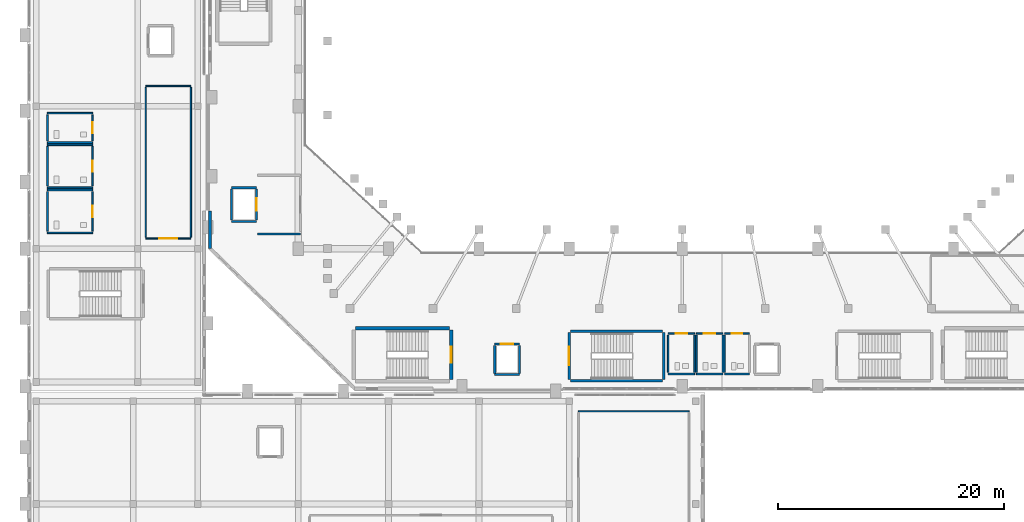
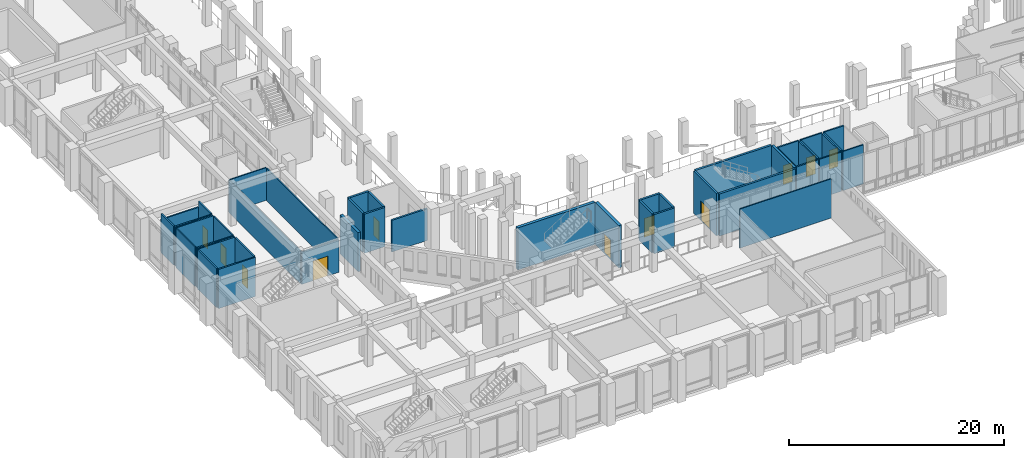
# One storey, part 91 of 126: 44 walls, 11 doors, 11 openings.
"""IFC4 building model written with IfcOpenShell, lengths in metres."""

import ifcopenshell
import ifcopenshell.guid

model = None  # the IFC model being written
_history = None  # IfcOwnerHistory: only IFC2X3 demands one
_inside = {}  # id of a spatial element -> (the spatial element, [elements in it])
_under = {}  # id of a project, library or spatial element -> (it, [spatial elements below it])
_declared = {}  # id of a project -> (the project, [libraries it declares])
_typed = {}  # id of a type object -> (the type object, [elements of that type])
_made_of = {}  # id of a material, layer set ... -> (it, [elements and type objects made of it])


def new_model(schema):
    """Start an empty IFC model of exactly this schema.

    Asked for "IFC4X3", IfcOpenShell would pick the latest addendum, in which some entities
    have other attributes; the version numbers below select the first issue.
    IFC2X3 requires an IfcOwnerHistory on every rooted entity: one is made here for all.
    """
    global model, _history
    if schema == "IFC4X3":
        model = ifcopenshell.file(schema_version=(4, 3, 0, 0))
    else:
        model = ifcopenshell.file(schema=schema)
    _inside.clear()
    _under.clear()
    _declared.clear()
    _typed.clear()
    _made_of.clear()
    _history = None
    if model.schema == "IFC2X3":
        org = make("IfcOrganization", Name="unknown")
        user = make(
            "IfcPersonAndOrganization",
            ThePerson=make("IfcPerson", FamilyName="unknown"),
            TheOrganization=org,
        )
        app = make(
            "IfcApplication",
            ApplicationDeveloper=org,
            Version="unknown",
            ApplicationFullName="unknown",
            ApplicationIdentifier="unknown",
        )
        _history = make(
            "IfcOwnerHistory",
            OwningUser=user,
            OwningApplication=app,
            ChangeAction="ADDED",
            CreationDate=0,
        )
    return model


def make(cls, **values):
    """One entity of the class cls with the attributes given. An attribute that is None is left unset."""
    return model.create_entity(
        cls, **{name: value for name, value in values.items() if value is not None}
    )


def rooted(cls, **values):
    """An entity with a GlobalId (a new one), such as an element, a storey or a relation."""
    return make(cls, GlobalId=ifcopenshell.guid.new(), OwnerHistory=_history, **values)


def si_unit(unit_type, name, prefix=None):
    """IfcSIUnit, for example si_unit("LENGTHUNIT", "METRE", prefix="MILLI")."""
    return make("IfcSIUnit", UnitType=unit_type, Prefix=prefix, Name=name)


def derived_unit(unit_type, elements):
    """IfcDerivedUnit: a product of units, each with its exponent."""
    return make(
        "IfcDerivedUnit",
        Elements=[
            make("IfcDerivedUnitElement", Unit=unit, Exponent=power)
            for unit, power in elements
        ],
        UnitType=unit_type,
    )


def assignment(units):
    """IfcUnitAssignment: the units of a project."""
    return None if units is None else make("IfcUnitAssignment", Units=units)


def point(xyz):
    """IfcCartesianPoint."""
    return None if xyz is None else make("IfcCartesianPoint", Coordinates=xyz)


def direction(xyz):
    """IfcDirection."""
    return None if xyz is None else make("IfcDirection", DirectionRatios=xyz)


def frame(location, z_axis=None, x_axis=None):
    """IfcAxis2Placement3D, a coordinate frame: its origin and axes. An axis left out is left unset."""
    return make(
        "IfcAxis2Placement3D",
        Location=point(location),
        Axis=direction(z_axis),
        RefDirection=direction(x_axis),
    )


def frame_2d(location, x_axis=None):
    """IfcAxis2Placement2D, a coordinate frame in the plane: its origin and x axis."""
    return make(
        "IfcAxis2Placement2D", Location=point(location), RefDirection=direction(x_axis)
    )


def origin():
    """The frame at (0, 0, 0) with its axes left unset."""
    return frame((0.0, 0.0, 0.0))


def place(relative_to, where):
    """IfcLocalPlacement: puts the frame where relative to a parent placement (None: the world)."""
    return make(
        "IfcLocalPlacement", PlacementRelTo=relative_to, RelativePlacement=where
    )


def context(
    kind, dimensions, precision=None, world=None, true_north=None, identifier=None
):
    """IfcGeometricRepresentationContext, for example the 3D "Model" context."""
    return make(
        "IfcGeometricRepresentationContext",
        ContextIdentifier=identifier,
        ContextType=kind,
        CoordinateSpaceDimension=dimensions,
        Precision=precision,
        WorldCoordinateSystem=world,
        TrueNorth=true_north,
    )


def subcontext(parent, identifier, kind, view, scale=None):
    """IfcGeometricRepresentationSubContext, for example "Body" below "Model"."""
    return make(
        "IfcGeometricRepresentationSubContext",
        ContextIdentifier=identifier,
        ContextType=kind,
        ParentContext=parent,
        TargetScale=scale,
        TargetView=view,
    )


def project(units=None, contexts=None):
    """IfcProject with its units and contexts."""
    return rooted(
        "IfcProject",
        Name="project",
        RepresentationContexts=contexts,
        UnitsInContext=assignment(units),
    )


def spatial(cls, under=None, at=None, **own):
    """A site, building, storey or space (cls), placed at a placement, below another one or the project."""
    s = rooted(cls, ObjectPlacement=at, **own)
    if under is not None:
        _under.setdefault(under.id(), (under, []))[1].append(s)
    return s


def profile(cls, at=None, kind="AREA", **sizes):
    """A parametric profile (cls). Its sizes go by their IFC names, for example OverallWidth=200.0."""
    return make(cls, ProfileType=kind, Position=at, **sizes)


def rectangle(**sizes):
    """IfcRectangleProfileDef."""
    return profile("IfcRectangleProfileDef", **sizes)


def extrude(swept, where, along, depth):
    """IfcExtrudedAreaSolid: the profile swept, set in the frame where, extruded along a direction by depth."""
    return make(
        "IfcExtrudedAreaSolid",
        SweptArea=swept,
        Position=where,
        ExtrudedDirection=direction(along),
        Depth=depth,
    )


def shape(context_of_items, identifier, shape_type, items):
    """IfcShapeRepresentation: the items that make up one representation, for example the "Body"."""
    return make(
        "IfcShapeRepresentation",
        ContextOfItems=context_of_items,
        RepresentationIdentifier=identifier,
        RepresentationType=shape_type,
        Items=items,
    )


def material(Name=None, Category=None):
    """IfcMaterial."""
    return make("IfcMaterial", Name=Name, Category=Category)


def layer(
    of_material, thickness, ventilated=None, Name=None, Category=None, Priority=None
):
    """IfcMaterialLayer: one layer of a wall or slab, of a material (None: an air gap)."""
    return make(
        "IfcMaterialLayer",
        Material=of_material,
        LayerThickness=thickness,
        IsVentilated=ventilated,
        Name=Name,
        Category=Category,
        Priority=Priority,
    )


def layer_set(layers, Name=None):
    """IfcMaterialLayerSet."""
    return make("IfcMaterialLayerSet", MaterialLayers=layers, LayerSetName=Name)


def made_of(thing, what):
    """Note that an element or type object is made of a material, layer set ...; save() writes the relation."""
    if what is not None:
        _made_of.setdefault(what.id(), (what, []))[1].append(thing)
    return thing


def type_object(cls, material=None, **own):
    """A type object (cls), such as IfcWallType, which elements share."""
    return made_of(rooted(cls, **own), material)


def element(
    cls,
    number,
    at=None,
    inside=None,
    cuts=None,
    type_object=None,
    material=None,
    context=None,
    identifier="Body",
    shape_type=None,
    held_by="IfcProductDefinitionShape",
    body=None,
    shapes=None,
    **own,
):
    """One element of the class cls, such as IfcWall. Its Tag is "e" and its number.

    at: its placement. inside: the storey or other place that contains it. cuts: it is an
    opening in that element (IfcRelVoidsElement). A single representation is given by context,
    identifier, shape_type and body (its items); several are given by shapes. held_by: the class
    of the entity that holds the representations. save() writes the other relations.
    """
    e = rooted(cls, Tag="e%d" % number, ObjectPlacement=at, **own)
    if body is not None:
        shapes = [shape(context, identifier, shape_type, body)]
    if shapes is not None:
        e.Representation = make(held_by, Representations=shapes)
    if inside is not None:
        _inside.setdefault(inside.id(), (inside, []))[1].append(e)
    if cuts is not None:
        rooted(
            "IfcRelVoidsElement", RelatingBuildingElement=cuts, RelatedOpeningElement=e
        )
    if type_object is not None:
        _typed.setdefault(type_object.id(), (type_object, []))[1].append(e)
    return made_of(e, material)


def fill(opening, filler):
    """IfcRelFillsElement: the door or window that sits in an opening."""
    return rooted(
        "IfcRelFillsElement",
        RelatingOpeningElement=opening,
        RelatedBuildingElement=filler,
    )


def aggregate(whole, parts):
    """IfcRelAggregates: a whole, such as a stair, and the parts it consists of."""
    return rooted("IfcRelAggregates", RelatingObject=whole, RelatedObjects=parts)


def save(model, path):
    """Write the relations noted so far, then the file.

    IfcRelAggregates (storeys below a building ...), IfcRelContainedInSpatialStructure (elements
    in a storey), IfcRelDefinesByType, IfcRelAssociatesMaterial and IfcRelDeclares: one each for
    every whole, place, type object, material and project.
    """
    for whole, parts in _under.values():
        aggregate(whole, parts)
    for where, things in _inside.values():
        rooted(
            "IfcRelContainedInSpatialStructure",
            RelatedElements=things,
            RelatingStructure=where,
        )
    for kind, things in _typed.values():
        rooted("IfcRelDefinesByType", RelatedObjects=things, RelatingType=kind)
    for what, things in _made_of.values():
        rooted("IfcRelAssociatesMaterial", RelatedObjects=things, RelatingMaterial=what)
    for by, libraries in _declared.values():
        rooted("IfcRelDeclares", RelatingContext=by, RelatedDefinitions=libraries)
    model.write(path)


model = new_model("IFC4")

# Units and contexts
model_context = context("Model", 3, precision=1e-05, world=origin(), true_north=direction((0.0, 1.0)))
body_context = subcontext(model_context, "Body", "Model", "MODEL_VIEW")
ifc_project = project(units=[si_unit("LENGTHUNIT", "METRE"), si_unit("AREAUNIT", "SQUARE_METRE"), si_unit("VOLUMEUNIT", "CUBIC_METRE"), si_unit("PLANEANGLEUNIT", "RADIAN"), si_unit("MASSUNIT", "GRAM", prefix="KILO"), derived_unit("THERMALTRANSMITTANCEUNIT", [(si_unit("MASSUNIT", "GRAM", prefix="KILO"), 1), (si_unit("TIMEUNIT", "SECOND"), -3), (si_unit("THERMODYNAMICTEMPERATUREUNIT", "KELVIN"), -1)])], contexts=[model_context])

# Site, building, storey
site_placement = place(None, origin())
site = spatial("IfcSite", under=ifc_project, at=site_placement, CompositionType="ELEMENT")
building_placement = place(site_placement, origin())
building = spatial("IfcBuilding", under=site, at=building_placement, Name="Valcora Ridge Arena", CompositionType="ELEMENT")
storey_placement = place(building_placement, frame((0.0, 0.0, 11.39990234375)))
storey = spatial("IfcBuildingStorey", under=building, at=storey_placement, Name="L02", CompositionType="ELEMENT", Elevation=11.39990234375)

# Walls
ifc_material_1 = material(Name="Bush-hammered Andean travertine on concrete backup C40/50", Category="masonry")
ifc_layer_1 = layer(ifc_material_1, 0.280029296875, Name="Bush-hammered Andean travertine on concrete backup C40/50")
ifc_layer_set_1 = layer_set([ifc_layer_1], Name="Bush-hammered Andean travertine on concrete backup C40/50")
wall_type_1 = type_object("IfcWallType", Name="TY-WALL-EW-TRV-28-44", PredefinedType="STANDARD", material=ifc_layer_set_1)
wall_1_placement = place(storey_placement, frame((16.199951171875, 32.60009765625, 0.0), z_axis=(0.0, 0.0, 1.0), x_axis=(0.0, 1.0, 0.0)))
element("IfcWall", 1, at=wall_1_placement, inside=storey, type_object=wall_type_1, Name="EW-TRV-28-44 WAL-EW-0046", PredefinedType="STANDARD", context=body_context, shape_type="SweptSolid", body=[
    extrude(rectangle(XDim=3.349853515625, YDim=0.280029296875, at=frame_2d((1.6748046875, 0.0))), origin(), (0.0, 0.0, 1.0), 4.4501953125),
])
ifc_material_2 = material(Name="Fire-rated masonry-core compartment wall C35/45 150 mm", Category="masonry")
ifc_layer_2 = layer(ifc_material_2, 0.14990234375, Name="Fire-rated masonry-core compartment wall C35/45 150 mm")
ifc_layer_set_2 = layer_set([ifc_layer_2], Name="Fire-rated masonry-core compartment wall C35/45 150 mm")
wall_type_2 = type_object("IfcWallType", Name="TY-WALL-IW-COMP-150", PredefinedType="STANDARD", material=ifc_layer_set_2)
wall_2_placement = place(storey_placement, frame((56.75, 21.5, 0.0), z_axis=(0.0, 0.0, 1.0), x_axis=(1.0, 0.0, 0.0)))
element("IfcWall", 2, at=wall_2_placement, inside=storey, type_object=wall_type_2, Name="IW-COMP-150 WAL-IN-0107", PredefinedType="STANDARD", context=body_context, shape_type="SweptSolid", body=[
    extrude(rectangle(XDim=2.35009765625, YDim=0.14990234375, at=frame_2d((1.175048828125, 0.0))), origin(), (0.0, 0.0, 1.0), 4.4501953125),
])

# Wall, opening, door
wall_3_placement = place(storey_placement, frame((56.75, 25.10009765625, 0.0), z_axis=(0.0, 0.0, 1.0), x_axis=(1.0, 0.0, 0.0)))
wall_3 = element("IfcWall", 3, at=wall_3_placement, inside=storey, type_object=wall_type_2, Name="IW-COMP-150 WAL-IN-0108", PredefinedType="STANDARD", context=body_context, shape_type="SweptSolid", body=[
    extrude(rectangle(XDim=2.35009765625, YDim=0.14990234375, at=frame_2d((1.175048828125, 0.0))), origin(), (0.0, 0.0, 1.0), 4.4501953125),
])
opening_1_placement = place(wall_3_placement, frame((0.675048828125, 0.0, 0.0)))
opening_1 = element("IfcOpeningElement", 4, at=opening_1_placement, cuts=wall_3, Name="Opening D-WC-1000", PredefinedType="OPENING", context=body_context, shape_type="SweptSolid", body=[
    extrude(rectangle(XDim=1.0, YDim=2.14990234375, at=frame_2d((0.5, 1.074951171875))), frame((0.0, 0.0849609375, 0.0), z_axis=(0.0, -1.0, 0.0), x_axis=(1.0, 0.0, 0.0)), (0.0, 0.0, 1.0), 0.169921875),
])
ifc_material_3 = material(Name="Insulated fire-rated steel door leaf", Category="steel")
door_type_1 = type_object("IfcDoorType", Name="TY-DOOR-D-WC-1000", OperationType="NOTDEFINED", PredefinedType="DOOR", material=ifc_material_3)
door_1_placement = place(opening_1_placement, origin())
door_1 = element("IfcDoor", 5, at=door_1_placement, inside=storey, type_object=door_type_1, Name="D-WC-1000 DOR-IN-0031", OperationType="SINGLE_SWING_LEFT", OverallHeight=2.14990234375, OverallWidth=1.0, PredefinedType="DOOR", context=body_context, shape_type="SweptSolid", body=[
    extrude(rectangle(XDim=1.0, YDim=2.14990234375, at=frame_2d((0.5, 1.074951171875))), frame((0.0, 0.02490234375, 0.0), z_axis=(0.0, -1.0, 0.0), x_axis=(1.0, 0.0, 0.0)), (0.0, 0.0, 1.0), 0.050048828125),
])
fill(opening_1, door_1)

# Walls
for number, where, z_axis, x_axis, name in (
    (6, (56.75, 21.64990234375, 0.0), (0.0, 0.0, 1.0), (0.0, 1.0, 0.0), "IW-COMP-150 WAL-IN-0109"),
    (7, (59.10009765625, 21.64990234375, 0.0), (0.0, 0.0, 1.0), (0.0, 1.0, 0.0), "IW-COMP-150 WAL-IN-0110"),
):
    element("IfcWall", number, at=place(storey_placement, frame(where, z_axis=z_axis, x_axis=x_axis)), inside=storey, type_object=wall_type_2, Name=name, PredefinedType="STANDARD", context=body_context, shape_type="SweptSolid", body=[
        extrude(rectangle(XDim=3.300048828125, YDim=0.14990234375, at=frame_2d((1.64990234375, 0.0))), origin(), (0.0, 0.0, 1.0), 4.4501953125),
    ])
wall_4_placement = place(storey_placement, frame((59.25, 21.5, 0.0), z_axis=(0.0, 0.0, 1.0), x_axis=(1.0, 0.0, 0.0)))
element("IfcWall", 8, at=wall_4_placement, inside=storey, type_object=wall_type_2, Name="IW-COMP-150 WAL-IN-0111", PredefinedType="STANDARD", context=body_context, shape_type="SweptSolid", body=[
    extrude(rectangle(XDim=2.35009765625, YDim=0.14990234375, at=frame_2d((1.175048828125, 0.0))), origin(), (0.0, 0.0, 1.0), 4.4501953125),
])

# Wall, opening, door
wall_5_placement = place(storey_placement, frame((59.25, 25.10009765625, 0.0), z_axis=(0.0, 0.0, 1.0), x_axis=(1.0, 0.0, 0.0)))
wall_5 = element("IfcWall", 9, at=wall_5_placement, inside=storey, type_object=wall_type_2, Name="IW-COMP-150 WAL-IN-0112", PredefinedType="STANDARD", context=body_context, shape_type="SweptSolid", body=[
    extrude(rectangle(XDim=2.35009765625, YDim=0.14990234375, at=frame_2d((1.175048828125, 0.0))), origin(), (0.0, 0.0, 1.0), 4.4501953125),
])
opening_2_placement = place(wall_5_placement, frame((0.675048828125, 0.0, 0.0)))
opening_2 = element("IfcOpeningElement", 10, at=opening_2_placement, cuts=wall_5, Name="Opening D-WC-1000", PredefinedType="OPENING", context=body_context, shape_type="SweptSolid", body=[
    extrude(rectangle(XDim=1.0, YDim=2.14990234375, at=frame_2d((0.5, 1.074951171875))), frame((0.0, 0.0849609375, 0.0), z_axis=(0.0, -1.0, 0.0), x_axis=(1.0, 0.0, 0.0)), (0.0, 0.0, 1.0), 0.169921875),
])
door_2_placement = place(opening_2_placement, origin())
door_2 = element("IfcDoor", 11, at=door_2_placement, inside=storey, type_object=door_type_1, Name="D-WC-1000 DOR-IN-0032", OperationType="SINGLE_SWING_RIGHT", OverallHeight=2.14990234375, OverallWidth=1.0, PredefinedType="DOOR", context=body_context, shape_type="SweptSolid", body=[
    extrude(rectangle(XDim=1.0, YDim=2.14990234375, at=frame_2d((0.5, 1.074951171875))), frame((0.0, 0.02490234375, 0.0), z_axis=(0.0, -1.0, 0.0), x_axis=(1.0, 0.0, 0.0)), (0.0, 0.0, 1.0), 0.050048828125),
])
fill(opening_2, door_2)

# Walls
for number, where, z_axis, x_axis, name in (
    (12, (59.25, 21.64990234375, 0.0), (0.0, 0.0, 1.0), (0.0, 1.0, 0.0), "IW-COMP-150 WAL-IN-0113"),
    (13, (61.60009765625, 21.64990234375, 0.0), (0.0, 0.0, 1.0), (0.0, 1.0, 0.0), "IW-COMP-150 WAL-IN-0114"),
):
    element("IfcWall", number, at=place(storey_placement, frame(where, z_axis=z_axis, x_axis=x_axis)), inside=storey, type_object=wall_type_2, Name=name, PredefinedType="STANDARD", context=body_context, shape_type="SweptSolid", body=[
        extrude(rectangle(XDim=3.300048828125, YDim=0.14990234375, at=frame_2d((1.64990234375, 0.0))), origin(), (0.0, 0.0, 1.0), 4.4501953125),
    ])
wall_6_placement = place(storey_placement, frame((61.75, 21.5, 0.0), z_axis=(0.0, 0.0, 1.0), x_axis=(1.0, 0.0, 0.0)))
element("IfcWall", 14, at=wall_6_placement, inside=storey, type_object=wall_type_2, Name="IW-COMP-150 WAL-IN-0115", PredefinedType="STANDARD", context=body_context, shape_type="SweptSolid", body=[
    extrude(rectangle(XDim=2.199951171875, YDim=0.14990234375, at=frame_2d((1.10009765625, 0.0))), origin(), (0.0, 0.0, 1.0), 4.4501953125),
])

# Wall, opening, door
wall_7_placement = place(storey_placement, frame((61.75, 25.10009765625, 0.0), z_axis=(0.0, 0.0, 1.0), x_axis=(1.0, 0.0, 0.0)))
wall_7 = element("IfcWall", 15, at=wall_7_placement, inside=storey, type_object=wall_type_2, Name="IW-COMP-150 WAL-IN-0116", PredefinedType="STANDARD", context=body_context, shape_type="SweptSolid", body=[
    extrude(rectangle(XDim=2.199951171875, YDim=0.14990234375, at=frame_2d((1.10009765625, 0.0))), origin(), (0.0, 0.0, 1.0), 4.4501953125),
])
opening_3_placement = place(wall_7_placement, frame((0.625, 0.0, 0.0)))
opening_3 = element("IfcOpeningElement", 16, at=opening_3_placement, cuts=wall_7, Name="Opening D-WC-950", PredefinedType="OPENING", context=body_context, shape_type="SweptSolid", body=[
    extrude(rectangle(XDim=0.949951171875, YDim=2.14990234375, at=frame_2d((0.47509765625, 1.074951171875))), frame((0.0, 0.0849609375, 0.0), z_axis=(0.0, -1.0, 0.0), x_axis=(1.0, 0.0, 0.0)), (0.0, 0.0, 1.0), 0.169921875),
])
door_type_2 = type_object("IfcDoorType", Name="TY-DOOR-D-WC-950", OperationType="NOTDEFINED", PredefinedType="DOOR", material=ifc_material_3)
door_3_placement = place(opening_3_placement, origin())
door_3 = element("IfcDoor", 17, at=door_3_placement, inside=storey, type_object=door_type_2, Name="D-WC-950 DOR-IN-0033", OperationType="SINGLE_SWING_LEFT", OverallHeight=2.14990234375, OverallWidth=0.949951171875, PredefinedType="DOOR", context=body_context, shape_type="SweptSolid", body=[
    extrude(rectangle(XDim=0.949951171875, YDim=2.14990234375, at=frame_2d((0.47509765625, 1.074951171875))), frame((0.0, 0.02490234375, 0.0), z_axis=(0.0, -1.0, 0.0), x_axis=(1.0, 0.0, 0.0)), (0.0, 0.0, 1.0), 0.050048828125),
])
fill(opening_3, door_3)

# Walls
wall_8_placement = place(storey_placement, frame((61.75, 21.64990234375, 0.0), z_axis=(0.0, 0.0, 1.0), x_axis=(0.0, 1.0, 0.0)))
element("IfcWall", 18, at=wall_8_placement, inside=storey, type_object=wall_type_2, Name="IW-COMP-150 WAL-IN-0117", PredefinedType="STANDARD", context=body_context, shape_type="SweptSolid", body=[
    extrude(rectangle(XDim=3.300048828125, YDim=0.14990234375, at=frame_2d((1.64990234375, 0.0))), origin(), (0.0, 0.0, 1.0), 4.4501953125),
])
for number, where, z_axis, x_axis, name in (
    (19, (1.800048828125, 34.0, 0.0), (0.0, 0.0, 1.0), (1.0, 0.0, 0.0), "IW-COMP-150 WAL-IN-0119"),
    (20, (1.800048828125, 37.800048828125, 0.0), (0.0, 0.0, 1.0), (1.0, 0.0, 0.0), "IW-COMP-150 WAL-IN-0120"),
):
    element("IfcWall", number, at=place(storey_placement, frame(where, z_axis=z_axis, x_axis=x_axis)), inside=storey, type_object=wall_type_2, Name=name, PredefinedType="STANDARD", context=body_context, shape_type="SweptSolid", body=[
        extrude(rectangle(XDim=4.0, YDim=0.14990234375, at=frame_2d((2.0, 0.0))), origin(), (0.0, 0.0, 1.0), 4.4501953125),
    ])
wall_9_placement = place(storey_placement, frame((1.800048828125, 34.14990234375, 0.0), z_axis=(0.0, 0.0, 1.0), x_axis=(0.0, 1.0, 0.0)))
element("IfcWall", 21, at=wall_9_placement, inside=storey, type_object=wall_type_2, Name="IW-COMP-150 WAL-IN-0121", PredefinedType="STANDARD", context=body_context, shape_type="SweptSolid", body=[
    extrude(rectangle(XDim=3.5, YDim=0.14990234375, at=frame_2d((1.75, 0.0))), origin(), (0.0, 0.0, 1.0), 4.4501953125),
])

# Wall, opening, door
wall_10_placement = place(storey_placement, frame((5.800048828125, 34.14990234375, 0.0), z_axis=(0.0, 0.0, 1.0), x_axis=(0.0, 1.0, 0.0)))
wall_10 = element("IfcWall", 22, at=wall_10_placement, inside=storey, type_object=wall_type_2, Name="IW-COMP-150 WAL-IN-0122", PredefinedType="STANDARD", context=body_context, shape_type="SweptSolid", body=[
    extrude(rectangle(XDim=3.5, YDim=0.14990234375, at=frame_2d((1.75, 0.0))), origin(), (0.0, 0.0, 1.0), 4.4501953125),
])
opening_4_placement = place(wall_10_placement, frame((1.25, 0.0, 0.0)))
opening_4 = element("IfcOpeningElement", 23, at=opening_4_placement, cuts=wall_10, Name="Opening D-WC-1000", PredefinedType="OPENING", context=body_context, shape_type="SweptSolid", body=[
    extrude(rectangle(XDim=1.0, YDim=2.14990234375, at=frame_2d((0.5, 1.074951171875))), frame((0.0, 0.0849609375, 0.0), z_axis=(0.0, -1.0, 0.0), x_axis=(1.0, 0.0, 0.0)), (0.0, 0.0, 1.0), 0.169921875),
])
door_4_placement = place(opening_4_placement, origin())
door_4 = element("IfcDoor", 24, at=door_4_placement, inside=storey, type_object=door_type_1, Name="D-WC-1000 DOR-IN-0034", OperationType="SINGLE_SWING_RIGHT", OverallHeight=2.14990234375, OverallWidth=1.0, PredefinedType="DOOR", context=body_context, shape_type="SweptSolid", body=[
    extrude(rectangle(XDim=1.0, YDim=2.14990234375, at=frame_2d((0.5, 1.074951171875))), frame((0.0, 0.02490234375, 0.0), z_axis=(0.0, -1.0, 0.0), x_axis=(1.0, 0.0, 0.0)), (0.0, 0.0, 1.0), 0.050048828125),
])
fill(opening_4, door_4)

# Walls
for number, where, z_axis, x_axis, name in (
    (25, (1.800048828125, 38.0, 0.0), (0.0, 0.0, 1.0), (1.0, 0.0, 0.0), "IW-COMP-150 WAL-IN-0123"),
    (26, (1.800048828125, 41.800048828125, 0.0), (0.0, 0.0, 1.0), (1.0, 0.0, 0.0), "IW-COMP-150 WAL-IN-0124"),
):
    element("IfcWall", number, at=place(storey_placement, frame(where, z_axis=z_axis, x_axis=x_axis)), inside=storey, type_object=wall_type_2, Name=name, PredefinedType="STANDARD", context=body_context, shape_type="SweptSolid", body=[
        extrude(rectangle(XDim=4.0, YDim=0.14990234375, at=frame_2d((2.0, 0.0))), origin(), (0.0, 0.0, 1.0), 4.4501953125),
    ])
wall_11_placement = place(storey_placement, frame((1.800048828125, 38.14990234375, 0.0), z_axis=(0.0, 0.0, 1.0), x_axis=(0.0, 1.0, 0.0)))
element("IfcWall", 27, at=wall_11_placement, inside=storey, type_object=wall_type_2, Name="IW-COMP-150 WAL-IN-0125", PredefinedType="STANDARD", context=body_context, shape_type="SweptSolid", body=[
    extrude(rectangle(XDim=3.5, YDim=0.14990234375, at=frame_2d((1.75, 0.0))), origin(), (0.0, 0.0, 1.0), 4.4501953125),
])

# Wall, opening, door
wall_12_placement = place(storey_placement, frame((5.800048828125, 38.14990234375, 0.0), z_axis=(0.0, 0.0, 1.0), x_axis=(0.0, 1.0, 0.0)))
wall_12 = element("IfcWall", 28, at=wall_12_placement, inside=storey, type_object=wall_type_2, Name="IW-COMP-150 WAL-IN-0126", PredefinedType="STANDARD", context=body_context, shape_type="SweptSolid", body=[
    extrude(rectangle(XDim=3.5, YDim=0.14990234375, at=frame_2d((1.75, 0.0))), origin(), (0.0, 0.0, 1.0), 4.4501953125),
])
opening_5_placement = place(wall_12_placement, frame((1.25, 0.0, 0.0)))
opening_5 = element("IfcOpeningElement", 29, at=opening_5_placement, cuts=wall_12, Name="Opening D-WC-1000", PredefinedType="OPENING", context=body_context, shape_type="SweptSolid", body=[
    extrude(rectangle(XDim=1.0, YDim=2.14990234375, at=frame_2d((0.5, 1.074951171875))), frame((0.0, 0.0849609375, 0.0), z_axis=(0.0, -1.0, 0.0), x_axis=(1.0, 0.0, 0.0)), (0.0, 0.0, 1.0), 0.169921875),
])
door_5_placement = place(opening_5_placement, origin())
door_5 = element("IfcDoor", 30, at=door_5_placement, inside=storey, type_object=door_type_1, Name="D-WC-1000 DOR-IN-0035", OperationType="SINGLE_SWING_LEFT", OverallHeight=2.14990234375, OverallWidth=1.0, PredefinedType="DOOR", context=body_context, shape_type="SweptSolid", body=[
    extrude(rectangle(XDim=1.0, YDim=2.14990234375, at=frame_2d((0.5, 1.074951171875))), frame((0.0, 0.02490234375, 0.0), z_axis=(0.0, -1.0, 0.0), x_axis=(1.0, 0.0, 0.0)), (0.0, 0.0, 1.0), 0.050048828125),
])
fill(opening_5, door_5)

# Walls
wall_13_placement = place(storey_placement, frame((1.800048828125, 42.0, 0.0), z_axis=(0.0, 0.0, 1.0), x_axis=(1.0, 0.0, 0.0)))
element("IfcWall", 31, at=wall_13_placement, inside=storey, type_object=wall_type_2, Name="IW-COMP-150 WAL-IN-0127", PredefinedType="STANDARD", context=body_context, shape_type="SweptSolid", body=[
    extrude(rectangle(XDim=4.0, YDim=0.14990234375, at=frame_2d((2.0, 0.0))), origin(), (0.0, 0.0, 1.0), 4.4501953125),
])
wall_14_placement = place(storey_placement, frame((1.800048828125, 44.60009765625, 0.0), z_axis=(0.0, 0.0, 1.0), x_axis=(1.0, 0.0, 0.0)))
element("IfcWall", 32, at=wall_14_placement, inside=storey, type_object=wall_type_2, Name="IW-COMP-150 WAL-IN-0128", PredefinedType="STANDARD", context=body_context, shape_type="SweptSolid", body=[
    extrude(rectangle(XDim=4.0, YDim=0.14990234375, at=frame_2d((2.0, 0.0))), origin(), (0.0, 0.0, 1.0), 3.7001953125),
])
wall_15_placement = place(storey_placement, frame((1.800048828125, 42.14990234375, 0.0), z_axis=(0.0, 0.0, 1.0), x_axis=(0.0, 1.0, 0.0)))
element("IfcWall", 33, at=wall_15_placement, inside=storey, type_object=wall_type_2, Name="IW-COMP-150 WAL-IN-0129", PredefinedType="STANDARD", context=body_context, shape_type="SweptSolid", body=[
    extrude(rectangle(XDim=2.300048828125, YDim=0.14990234375, at=frame_2d((1.14990234375, 0.0))), origin(), (0.0, 0.0, 1.0), 4.4501953125),
])

# Wall, opening, door
wall_16_placement = place(storey_placement, frame((5.800048828125, 42.14990234375, 0.0), z_axis=(0.0, 0.0, 1.0), x_axis=(0.0, 1.0, 0.0)))
wall_16 = element("IfcWall", 34, at=wall_16_placement, inside=storey, type_object=wall_type_2, Name="IW-COMP-150 WAL-IN-0130", PredefinedType="STANDARD", context=body_context, shape_type="SweptSolid", body=[
    extrude(rectangle(XDim=2.300048828125, YDim=0.14990234375, at=frame_2d((1.14990234375, 0.0))), origin(), (0.0, 0.0, 1.0), 4.4501953125),
])
opening_6_placement = place(wall_16_placement, frame((0.675048828125, 0.0, 0.0)))
opening_6 = element("IfcOpeningElement", 35, at=opening_6_placement, cuts=wall_16, Name="Opening D-WC-950", PredefinedType="OPENING", context=body_context, shape_type="SweptSolid", body=[
    extrude(rectangle(XDim=0.949951171875, YDim=2.14990234375, at=frame_2d((0.47509765625, 1.074951171875))), frame((0.0, 0.0849609375, 0.0), z_axis=(0.0, -1.0, 0.0), x_axis=(1.0, 0.0, 0.0)), (0.0, 0.0, 1.0), 0.169921875),
])
door_6_placement = place(opening_6_placement, origin())
door_6 = element("IfcDoor", 36, at=door_6_placement, inside=storey, type_object=door_type_2, Name="D-WC-950 DOR-IN-0036", OperationType="SINGLE_SWING_RIGHT", OverallHeight=2.14990234375, OverallWidth=0.949951171875, PredefinedType="DOOR", context=body_context, shape_type="SweptSolid", body=[
    extrude(rectangle(XDim=0.949951171875, YDim=2.14990234375, at=frame_2d((0.47509765625, 1.074951171875))), frame((0.0, 0.02490234375, 0.0), z_axis=(0.0, -1.0, 0.0), x_axis=(1.0, 0.0, 0.0)), (0.0, 0.0, 1.0), 0.050048828125),
])
fill(opening_6, door_6)

# Walls
ifc_material_4 = material(Name="Fire-resisting reinforced concrete enclosure C40/50 200 mm", Category="concrete")
ifc_layer_3 = layer(ifc_material_4, 0.199951171875, Name="Fire-resisting reinforced concrete enclosure C40/50 200 mm")
ifc_layer_set_3 = layer_set([ifc_layer_3], Name="Fire-resisting reinforced concrete enclosure C40/50 200 mm")
wall_type_3 = type_object("IfcWallType", Name="TY-WALL-IW-FIRE-200", PredefinedType="STANDARD", material=ifc_layer_set_3)
wall_17_placement = place(storey_placement, frame((20.39990234375, 33.89990234375, 0.0), z_axis=(0.0, 0.0, 1.0), x_axis=(1.0, 0.0, 0.0)))
element("IfcWall", 37, at=wall_17_placement, inside=storey, type_object=wall_type_3, Name="IW-FIRE-200 WAL-IN-0010", PredefinedType="STANDARD", context=body_context, shape_type="SweptSolid", body=[
    extrude(rectangle(XDim=3.800048828125, YDim=0.199951171875, at=frame_2d((1.89990234375, 0.0))), origin(), (0.0, 0.0, 1.0), 3.60009765625),
])
ifc_material_5 = material(Name="Acoustic metal-stud gypsum partition 120 mm")
ifc_layer_4 = layer(ifc_material_5, 0.1201171875, Name="Acoustic metal-stud gypsum partition 120 mm")
ifc_layer_set_4 = layer_set([ifc_layer_4], Name="Acoustic metal-stud gypsum partition 120 mm")
wall_type_4 = type_object("IfcWallType", Name="TY-WALL-IW-PART-120", PredefinedType="PARTITIONING", material=ifc_layer_set_4)
wall_18_placement = place(storey_placement, frame((48.800048828125, 18.199951171875, 0.0), z_axis=(0.0, 0.0, 1.0), x_axis=(1.0, 0.0, 0.0)))
element("IfcWall", 38, at=wall_18_placement, inside=storey, type_object=wall_type_4, Name="IW-PART-120 WAL-IN-0376", PredefinedType="PARTITIONING", context=body_context, shape_type="SweptSolid", body=[
    extrude(rectangle(XDim=9.800048828125, YDim=0.1201171875, at=frame_2d((4.89990234375, 0.0))), origin(), (0.0, 0.0, 1.0), 4.4501953125),
])

# Wall, opening, door
wall_19_placement = place(storey_placement, frame((10.5, 33.5, 0.0), z_axis=(0.0, 0.0, 1.0), x_axis=(1.0, 0.0, 0.0)))
wall_19 = element("IfcWall", 39, at=wall_19_placement, inside=storey, type_object=wall_type_4, Name="IW-PART-120 WAL-IN-0379", PredefinedType="PARTITIONING", context=body_context, shape_type="SweptSolid", body=[
    extrude(rectangle(XDim=4.0, YDim=0.1201171875, at=frame_2d((2.0, 0.0))), origin(), (0.0, 0.0, 1.0), 3.7001953125),
])
opening_7_placement = place(wall_19_placement, frame((1.199951171875, 0.0, 0.0)))
opening_7 = element("IfcOpeningElement", 40, at=opening_7_placement, cuts=wall_19, Name="Opening D-PUB-1600", PredefinedType="OPENING", context=body_context, shape_type="SweptSolid", body=[
    extrude(rectangle(XDim=1.60009765625, YDim=2.25, at=frame_2d((0.800048828125, 1.125))), frame((0.0, 0.070068359375, 0.0), z_axis=(0.0, -1.0, 0.0), x_axis=(1.0, 0.0, 0.0)), (0.0, 0.0, 1.0), 0.14013671875),
])
ifc_material_6 = material(Name="Solid-core acoustic timber veneer door leaf", Category="wood")
door_type_3 = type_object("IfcDoorType", Name="TY-DOOR-D-PUB-1600", OperationType="NOTDEFINED", PredefinedType="DOOR", material=ifc_material_6)
door_7_placement = place(opening_7_placement, origin())
door_7 = element("IfcDoor", 41, at=door_7_placement, inside=storey, type_object=door_type_3, Name="D-PUB-1600 DOR-IN-0100", OperationType="DOUBLE_DOOR_SINGLE_SWING", OverallHeight=2.25, OverallWidth=1.60009765625, PredefinedType="DOOR", context=body_context, shape_type="SweptSolid", body=[
    extrude(rectangle(XDim=1.60009765625, YDim=2.25, at=frame_2d((0.800048828125, 1.125))), frame((0.0, 0.02490234375, 0.0), z_axis=(0.0, -1.0, 0.0), x_axis=(1.0, 0.0, 0.0)), (0.0, 0.0, 1.0), 0.050048828125),
])
fill(opening_7, door_7)

# Walls
wall_20_placement = place(storey_placement, frame((10.5, 47.0, 0.0), z_axis=(0.0, 0.0, 1.0), x_axis=(1.0, 0.0, 0.0)))
element("IfcWall", 42, at=wall_20_placement, inside=storey, type_object=wall_type_4, Name="IW-PART-120 WAL-IN-0380", PredefinedType="PARTITIONING", context=body_context, shape_type="SweptSolid", body=[
    extrude(rectangle(XDim=4.0, YDim=0.1201171875, at=frame_2d((2.0, 0.0))), origin(), (0.0, 0.0, 1.0), 3.7001953125),
])
for number, where, z_axis, x_axis, name in (
    (43, (10.5, 33.6201171875, 0.0), (0.0, 0.0, 1.0), (0.0, 1.0, 0.0), "IW-PART-120 WAL-IN-0381"),
    (44, (14.5, 33.6201171875, 0.0), (0.0, 0.0, 1.0), (0.0, 1.0, 0.0), "IW-PART-120 WAL-IN-0382"),
):
    element("IfcWall", number, at=place(storey_placement, frame(where, z_axis=z_axis, x_axis=x_axis)), inside=storey, type_object=wall_type_4, Name=name, PredefinedType="PARTITIONING", context=body_context, shape_type="SweptSolid", body=[
        extrude(rectangle(XDim=13.259765625, YDim=0.1201171875, at=frame_2d((6.6298828125, 0.0))), origin(), (0.0, 0.0, 1.0), 3.7001953125),
    ])
ifc_material_7 = material(Name="Concrete C40/50", Category="concrete")
ifc_layer_5 = layer(ifc_material_7, 0.199951171875, Name="Concrete C40/50")
ifc_layer_set_5 = layer_set([ifc_layer_5], Name="Concrete C40/50")
wall_type_5 = type_object("IfcWallType", Name="TY-WALL-IW-SHF-200", PredefinedType="STANDARD", material=ifc_layer_set_5)
for number, where, z_axis, x_axis, name in (
    (45, (18.10009765625, 35.0, 0.0), (0.0, 0.0, 1.0), (1.0, 0.0, 0.0), "IW-SHF-200 WAL-SH-0013"),
    (46, (18.10009765625, 38.0, 0.0), (0.0, 0.0, 1.0), (1.0, 0.0, 0.0), "IW-SHF-200 WAL-SH-0014"),
):
    element("IfcWall", number, at=place(storey_placement, frame(where, z_axis=z_axis, x_axis=x_axis)), inside=storey, type_object=wall_type_5, Name=name, PredefinedType="STANDARD", context=body_context, shape_type="SweptSolid", body=[
        extrude(rectangle(XDim=2.199951171875, YDim=0.199951171875, at=frame_2d((1.10009765625, 0.0))), origin(), (0.0, 0.0, 1.0), 4.4501953125),
    ])
wall_21_placement = place(storey_placement, frame((18.10009765625, 35.1201171875, 0.0), z_axis=(0.0, 0.0, 1.0), x_axis=(0.0, 1.0, 0.0)))
element("IfcWall", 47, at=wall_21_placement, inside=storey, type_object=wall_type_5, Name="IW-SHF-200 WAL-SH-0015", PredefinedType="STANDARD", context=body_context, shape_type="SweptSolid", body=[
    extrude(rectangle(XDim=2.759765625, YDim=0.199951171875, at=frame_2d((1.3798828125, 0.0))), origin(), (0.0, 0.0, 1.0), 4.4501953125),
])

# Wall, opening, door
wall_22_placement = place(storey_placement, frame((20.300048828125, 35.1201171875, 0.0), z_axis=(0.0, 0.0, 1.0), x_axis=(0.0, 1.0, 0.0)))
wall_22 = element("IfcWall", 48, at=wall_22_placement, inside=storey, type_object=wall_type_5, Name="IW-SHF-200 WAL-SH-0016", PredefinedType="STANDARD", context=body_context, shape_type="SweptSolid", body=[
    extrude(rectangle(XDim=2.759765625, YDim=0.199951171875, at=frame_2d((1.3798828125, 0.0))), origin(), (0.0, 0.0, 1.0), 4.4501953125),
])
opening_8_placement = place(wall_22_placement, frame((0.830078125, 0.0, 0.0)))
opening_8 = element("IfcOpeningElement", 49, at=opening_8_placement, cuts=wall_22, Name="Opening LD-FF", PredefinedType="OPENING", context=body_context, shape_type="SweptSolid", body=[
    extrude(rectangle(XDim=1.10009765625, YDim=2.14990234375, at=frame_2d((0.550048828125, 1.074951171875))), frame((0.0, 0.10986328125, 0.0), z_axis=(0.0, -1.0, 0.0), x_axis=(1.0, 0.0, 0.0)), (0.0, 0.0, 1.0), 0.219970703125),
])
ifc_material_8 = material(Name="Insulated fire-rated hollow metal steel", Category="steel")
door_type_4 = type_object("IfcDoorType", Name="TY-DOOR-LD-FF", OperationType="NOTDEFINED", PredefinedType="DOOR", material=ifc_material_8)
door_8_placement = place(opening_8_placement, origin())
door_8 = element("IfcDoor", 50, at=door_8_placement, inside=storey, type_object=door_type_4, Name="FFL1 Landing Door L02", OperationType="SLIDING_TO_LEFT", OverallHeight=2.14990234375, OverallWidth=1.10009765625, PredefinedType="DOOR", context=body_context, shape_type="SweptSolid", body=[
    extrude(rectangle(XDim=1.10009765625, YDim=2.14990234375, at=frame_2d((0.550048828125, 1.074951171875))), frame((0.0, 0.02490234375, 0.0), z_axis=(0.0, -1.0, 0.0), x_axis=(1.0, 0.0, 0.0)), (0.0, 0.0, 1.0), 0.050048828125),
])
fill(opening_8, door_8)

# Wall
wall_23_placement = place(storey_placement, frame((41.39990234375, 21.449951171875, 0.0), z_axis=(0.0, 0.0, 1.0), x_axis=(1.0, 0.0, 0.0)))
element("IfcWall", 51, at=wall_23_placement, inside=storey, type_object=wall_type_5, Name="IW-SHF-200 WAL-SH-0069", PredefinedType="STANDARD", context=body_context, shape_type="SweptSolid", body=[
    extrude(rectangle(XDim=2.2001953125, YDim=0.199951171875, at=frame_2d((1.10009765625, 0.0))), origin(), (0.0, 0.0, 1.0), 4.4501953125),
])

# Wall, opening, door
wall_24_placement = place(storey_placement, frame((41.39990234375, 24.14990234375, 0.0), z_axis=(0.0, 0.0, 1.0), x_axis=(1.0, 0.0, 0.0)))
wall_24 = element("IfcWall", 52, at=wall_24_placement, inside=storey, type_object=wall_type_5, Name="IW-SHF-200 WAL-SH-0070", PredefinedType="STANDARD", context=body_context, shape_type="SweptSolid", body=[
    extrude(rectangle(XDim=2.2001953125, YDim=0.199951171875, at=frame_2d((1.10009765625, 0.0))), origin(), (0.0, 0.0, 1.0), 4.4501953125),
])
opening_9_placement = place(wall_24_placement, frame((0.550048828125, 0.0, 0.0)))
opening_9 = element("IfcOpeningElement", 53, at=opening_9_placement, cuts=wall_24, Name="Opening LD-PAX", PredefinedType="OPENING", context=body_context, shape_type="SweptSolid", body=[
    extrude(rectangle(XDim=1.10009765625, YDim=2.14990234375, at=frame_2d((0.550048828125, 1.074951171875))), frame((0.0, 0.10986328125, 0.0), z_axis=(0.0, -1.0, 0.0), x_axis=(1.0, 0.0, 0.0)), (0.0, 0.0, 1.0), 0.219970703125),
])
door_type_5 = type_object("IfcDoorType", Name="TY-DOOR-LD-PAX", OperationType="NOTDEFINED", PredefinedType="DOOR", material=ifc_material_8)
door_9_placement = place(opening_9_placement, origin())
door_9 = element("IfcDoor", 54, at=door_9_placement, inside=storey, type_object=door_type_5, Name="PL1 Landing Door L02", OperationType="SLIDING_TO_LEFT", OverallHeight=2.14990234375, OverallWidth=1.10009765625, PredefinedType="DOOR", context=body_context, shape_type="SweptSolid", body=[
    extrude(rectangle(XDim=1.10009765625, YDim=2.14990234375, at=frame_2d((0.550048828125, 1.074951171875))), frame((0.0, 0.02490234375, 0.0), z_axis=(0.0, -1.0, 0.0), x_axis=(1.0, 0.0, 0.0)), (0.0, 0.0, 1.0), 0.050048828125),
])
fill(opening_9, door_9)

# Walls
for number, where, z_axis, x_axis, name in (
    (55, (41.39990234375, 21.570068359375, 0.0), (0.0, 0.0, 1.0), (0.0, 1.0, 0.0), "IW-SHF-200 WAL-SH-0071"),
    (56, (43.60009765625, 21.570068359375, 0.0), (0.0, 0.0, 1.0), (0.0, 1.0, 0.0), "IW-SHF-200 WAL-SH-0072"),
):
    element("IfcWall", number, at=place(storey_placement, frame(where, z_axis=z_axis, x_axis=x_axis)), inside=storey, type_object=wall_type_5, Name=name, PredefinedType="STANDARD", context=body_context, shape_type="SweptSolid", body=[
        extrude(rectangle(XDim=2.4599609375, YDim=0.199951171875, at=frame_2d((1.22998046875, 0.0))), origin(), (0.0, 0.0, 1.0), 4.4501953125),
    ])
ifc_material_9 = material(Name="Concrete C45/55", Category="concrete")
ifc_layer_6 = layer(ifc_material_9, 0.300048828125, Name="Concrete C45/55")
ifc_layer_set_6 = layer_set([ifc_layer_6], Name="Concrete C45/55")
wall_type_6 = type_object("IfcWallType", Name="TY-WALL-SW-C300-L", PredefinedType="SHEAR", material=ifc_layer_set_6)
wall_25_placement = place(storey_placement, frame((29.080078125, 25.550048828125, 0.0), z_axis=(0.0, 0.0, 1.0), x_axis=(1.0, 0.0, 0.0)))
element("IfcWall", 57, at=wall_25_placement, inside=storey, type_object=wall_type_6, Name="SW-C300-L WAL-CR-0014", PredefinedType="SHEAR", context=body_context, shape_type="SweptSolid", body=[
    extrude(rectangle(XDim=8.31982421875, YDim=0.300048828125, at=frame_2d((4.159912109375, 0.0))), origin(), (0.0, 0.0, 1.0), 4.800048828125),
])

# Wall, opening, door
ifc_layer_7 = layer(ifc_material_9, 0.300048828125, Name="Concrete C45/55")
ifc_layer_set_7 = layer_set([ifc_layer_7], Name="Concrete C45/55")
wall_type_7 = type_object("IfcWallType", Name="TY-WALL-SW-C300-S", PredefinedType="SHEAR", material=ifc_layer_set_7)
wall_26_placement = place(storey_placement, frame((37.550048828125, 21.0, 0.0), z_axis=(0.0, 0.0, 1.0), x_axis=(0.0, 1.0, 0.0)))
wall_26 = element("IfcWall", 58, at=wall_26_placement, inside=storey, type_object=wall_type_7, Name="SW-C300-S WAL-CR-0016", PredefinedType="SHEAR", context=body_context, shape_type="SweptSolid", body=[
    extrude(rectangle(XDim=4.39990234375, YDim=0.300048828125, at=frame_2d((2.199951171875, 0.0))), origin(), (0.0, 0.0, 1.0), 4.800048828125),
])
opening_10_placement = place(wall_26_placement, frame((1.5, 0.0, 0.0)))
opening_10 = element("IfcOpeningElement", 59, at=opening_10_placement, cuts=wall_26, Name="Opening FD-01", PredefinedType="OPENING", context=body_context, shape_type="SweptSolid", body=[
    extrude(rectangle(XDim=1.39990234375, YDim=2.199951171875, at=frame_2d((0.699951171875, 1.10009765625))), frame((0.0, 0.159912109375, 0.0), z_axis=(0.0, -1.0, 0.0), x_axis=(1.0, 0.0, 0.0)), (0.0, 0.0, 1.0), 0.320068359375),
])
door_type_6 = type_object("IfcDoorType", Name="TY-DOOR-FD-01", OperationType="NOTDEFINED", PredefinedType="DOOR", material=ifc_material_3)
door_10_placement = place(opening_10_placement, origin())
door_10 = element("IfcDoor", 60, at=door_10_placement, inside=storey, type_object=door_type_6, Name="FD-01 DOR-ST-0004", OperationType="DOUBLE_DOOR_SINGLE_SWING", OverallHeight=2.199951171875, OverallWidth=1.39990234375, PredefinedType="DOOR", context=body_context, shape_type="SweptSolid", body=[
    extrude(rectangle(XDim=1.39990234375, YDim=2.199951171875, at=frame_2d((0.699951171875, 1.10009765625))), frame((0.0, 0.02490234375, 0.0), z_axis=(0.0, -1.0, 0.0), x_axis=(1.0, 0.0, 0.0)), (0.0, 0.0, 1.0), 0.050048828125),
])
fill(opening_10, door_10)

# Walls
ifc_layer_8 = layer(ifc_material_4, 0.219970703125, Name="Fire-resisting reinforced concrete enclosure C40/50 200 mm")
ifc_layer_set_8 = layer_set([ifc_layer_8], Name="Fire-resisting reinforced concrete enclosure C40/50 200 mm")
wall_type_8 = type_object("IfcWallType", Name="TY-WALL-SW-ES-220", PredefinedType="SHEAR", material=ifc_layer_set_8)
for number, where, z_axis, x_axis, name in (
    (61, (48.10009765625, 20.889892578125, 0.0), (0.0, 0.0, 1.0), (1.0, 0.0, 0.0), "SW-ES-220 WAL-ES-0013"),
    (62, (48.10009765625, 25.31005859375, 0.0), (0.0, 0.0, 1.0), (1.0, 0.0, 0.0), "SW-ES-220 WAL-ES-0014"),
):
    element("IfcWall", number, at=place(storey_placement, frame(where, z_axis=z_axis, x_axis=x_axis)), inside=storey, type_object=wall_type_8, Name=name, PredefinedType="SHEAR", context=body_context, shape_type="SweptSolid", body=[
        extrude(rectangle(XDim=8.159912109375, YDim=0.219970703125, at=frame_2d((4.080078125, 0.0))), origin(), (0.0, 0.0, 1.0), 4.800048828125),
    ])

# Wall, opening, door
wall_27_placement = place(storey_placement, frame((47.989990234375, 21.0, 0.0), z_axis=(0.0, 0.0, 1.0), x_axis=(0.0, 1.0, 0.0)))
wall_27 = element("IfcWall", 63, at=wall_27_placement, inside=storey, type_object=wall_type_8, Name="SW-ES-220 WAL-ES-0015", PredefinedType="SHEAR", context=body_context, shape_type="SweptSolid", body=[
    extrude(rectangle(XDim=4.199951171875, YDim=0.219970703125, at=frame_2d((2.10009765625, 0.0))), origin(), (0.0, 0.0, 1.0), 4.800048828125),
])
opening_11_placement = place(wall_27_placement, frame((1.300048828125, 0.0, 0.0)))
opening_11 = element("IfcOpeningElement", 64, at=opening_11_placement, cuts=wall_27, Name="Opening FD-02", PredefinedType="OPENING", context=body_context, shape_type="SweptSolid", body=[
    extrude(rectangle(XDim=1.60009765625, YDim=2.199951171875, at=frame_2d((0.800048828125, 1.10009765625))), frame((0.0, 0.119873046875, 0.0), z_axis=(0.0, -1.0, 0.0), x_axis=(1.0, 0.0, 0.0)), (0.0, 0.0, 1.0), 0.239990234375),
])
door_type_7 = type_object("IfcDoorType", Name="TY-DOOR-FD-02", OperationType="NOTDEFINED", PredefinedType="DOOR", material=ifc_material_3)
door_11_placement = place(opening_11_placement, origin())
door_11 = element("IfcDoor", 65, at=door_11_placement, inside=storey, type_object=door_type_7, Name="FD-02 DOR-ES-0003", OperationType="DOUBLE_DOOR_SINGLE_SWING", OverallHeight=2.199951171875, OverallWidth=1.60009765625, PredefinedType="DOOR", context=body_context, shape_type="SweptSolid", body=[
    extrude(rectangle(XDim=1.60009765625, YDim=2.199951171875, at=frame_2d((0.800048828125, 1.10009765625))), frame((0.0, 0.02490234375, 0.0), z_axis=(0.0, -1.0, 0.0), x_axis=(1.0, 0.0, 0.0)), (0.0, 0.0, 1.0), 0.050048828125),
])
fill(opening_11, door_11)

# Wall
wall_28_placement = place(storey_placement, frame((56.3701171875, 21.0, 0.0), z_axis=(0.0, 0.0, 1.0), x_axis=(0.0, 1.0, 0.0)))
element("IfcWall", 66, at=wall_28_placement, inside=storey, type_object=wall_type_8, Name="SW-ES-220 WAL-ES-0016", PredefinedType="SHEAR", context=body_context, shape_type="SweptSolid", body=[
    extrude(rectangle(XDim=4.199951171875, YDim=0.219970703125, at=frame_2d((2.10009765625, 0.0))), origin(), (0.0, 0.0, 1.0), 4.800048828125),
])

save(model, "model.ifc")
